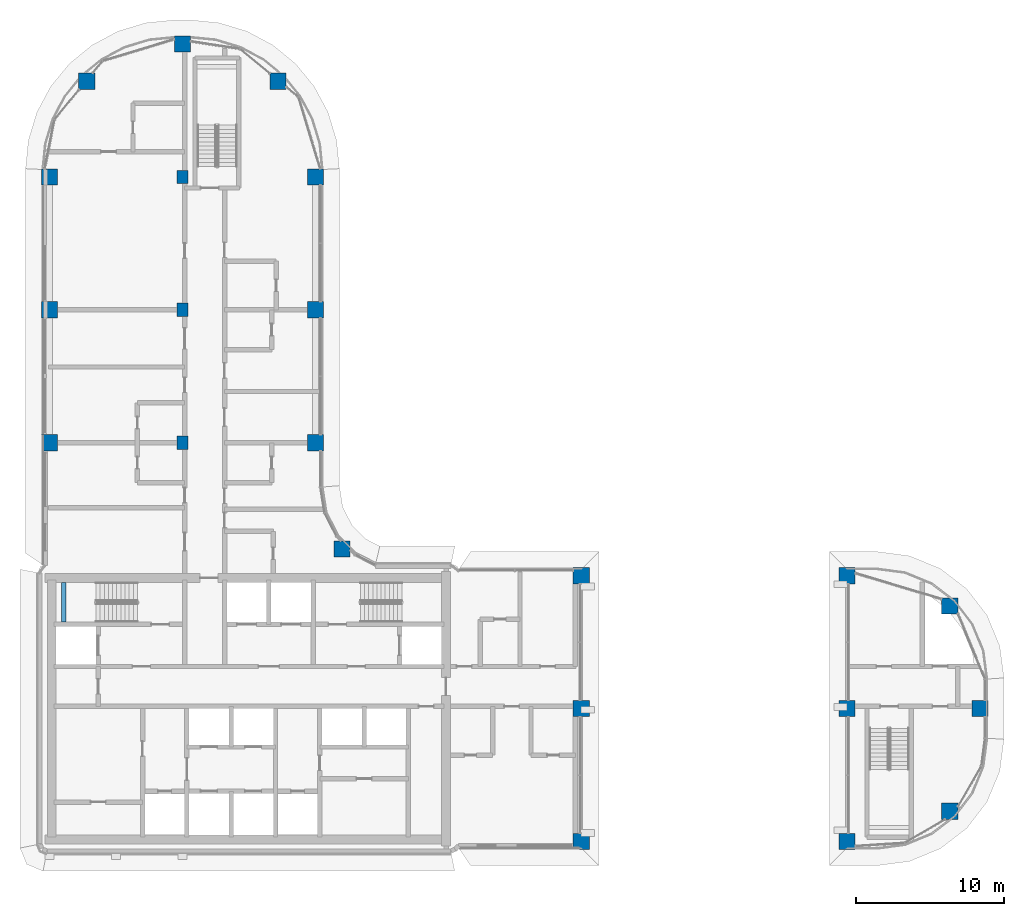
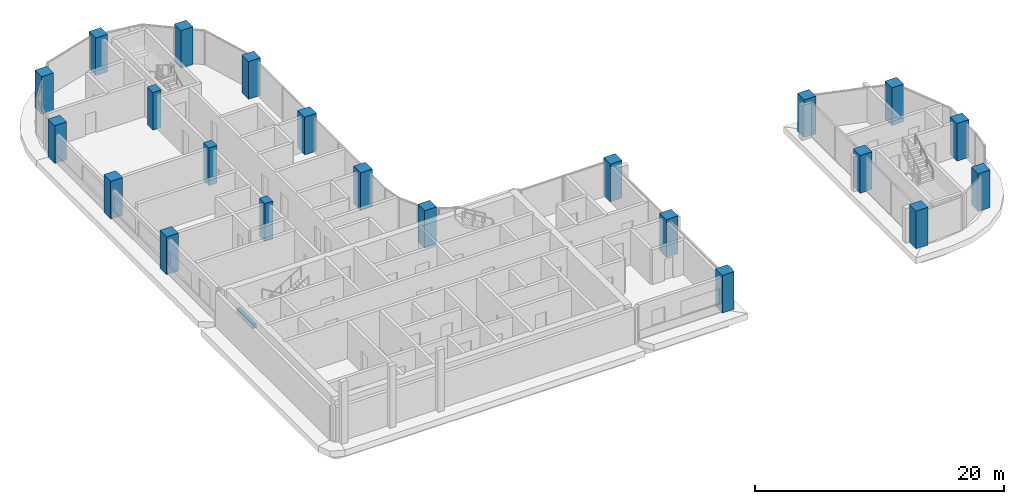
# One storey, part 1 of 24: 22 columns, 1 beam.
"""IFC4 building model written with IfcOpenShell, lengths in metres."""

import ifcopenshell
import ifcopenshell.guid

model = None  # the IFC model being written
_history = None  # IfcOwnerHistory: only IFC2X3 demands one
_inside = {}  # id of a spatial element -> (the spatial element, [elements in it])
_under = {}  # id of a project, library or spatial element -> (it, [spatial elements below it])
_declared = {}  # id of a project -> (the project, [libraries it declares])
_typed = {}  # id of a type object -> (the type object, [elements of that type])
_made_of = {}  # id of a material, layer set ... -> (it, [elements and type objects made of it])


def new_model(schema):
    """Start an empty IFC model of exactly this schema.

    Asked for "IFC4X3", IfcOpenShell would pick the latest addendum, in which some entities
    have other attributes; the version numbers below select the first issue.
    IFC2X3 requires an IfcOwnerHistory on every rooted entity: one is made here for all.
    """
    global model, _history
    if schema == "IFC4X3":
        model = ifcopenshell.file(schema_version=(4, 3, 0, 0))
    else:
        model = ifcopenshell.file(schema=schema)
    _inside.clear()
    _under.clear()
    _declared.clear()
    _typed.clear()
    _made_of.clear()
    _history = None
    if model.schema == "IFC2X3":
        org = make("IfcOrganization", Name="unknown")
        user = make(
            "IfcPersonAndOrganization",
            ThePerson=make("IfcPerson", FamilyName="unknown"),
            TheOrganization=org,
        )
        app = make(
            "IfcApplication",
            ApplicationDeveloper=org,
            Version="unknown",
            ApplicationFullName="unknown",
            ApplicationIdentifier="unknown",
        )
        _history = make(
            "IfcOwnerHistory",
            OwningUser=user,
            OwningApplication=app,
            ChangeAction="ADDED",
            CreationDate=0,
        )
    return model


def make(cls, **values):
    """One entity of the class cls with the attributes given. An attribute that is None is left unset."""
    return model.create_entity(
        cls, **{name: value for name, value in values.items() if value is not None}
    )


def rooted(cls, **values):
    """An entity with a GlobalId (a new one), such as an element, a storey or a relation."""
    return make(cls, GlobalId=ifcopenshell.guid.new(), OwnerHistory=_history, **values)


def si_unit(unit_type, name, prefix=None):
    """IfcSIUnit, for example si_unit("LENGTHUNIT", "METRE", prefix="MILLI")."""
    return make("IfcSIUnit", UnitType=unit_type, Prefix=prefix, Name=name)


def assignment(units):
    """IfcUnitAssignment: the units of a project."""
    return None if units is None else make("IfcUnitAssignment", Units=units)


def point(xyz):
    """IfcCartesianPoint."""
    return None if xyz is None else make("IfcCartesianPoint", Coordinates=xyz)


def direction(xyz):
    """IfcDirection."""
    return None if xyz is None else make("IfcDirection", DirectionRatios=xyz)


def frame(location, z_axis=None, x_axis=None):
    """IfcAxis2Placement3D, a coordinate frame: its origin and axes. An axis left out is left unset."""
    return make(
        "IfcAxis2Placement3D",
        Location=point(location),
        Axis=direction(z_axis),
        RefDirection=direction(x_axis),
    )


def frame_2d(location, x_axis=None):
    """IfcAxis2Placement2D, a coordinate frame in the plane: its origin and x axis."""
    return make(
        "IfcAxis2Placement2D", Location=point(location), RefDirection=direction(x_axis)
    )


def origin():
    """The frame at (0, 0, 0) with its axes left unset."""
    return frame((0.0, 0.0, 0.0))


def origin_2d():
    """The frame at (0, 0) in the plane with its x axis left unset."""
    return frame_2d((0.0, 0.0))


def place(relative_to, where):
    """IfcLocalPlacement: puts the frame where relative to a parent placement (None: the world)."""
    return make(
        "IfcLocalPlacement", PlacementRelTo=relative_to, RelativePlacement=where
    )


def context(
    kind, dimensions, precision=None, world=None, true_north=None, identifier=None
):
    """IfcGeometricRepresentationContext, for example the 3D "Model" context."""
    return make(
        "IfcGeometricRepresentationContext",
        ContextIdentifier=identifier,
        ContextType=kind,
        CoordinateSpaceDimension=dimensions,
        Precision=precision,
        WorldCoordinateSystem=world,
        TrueNorth=true_north,
    )


def subcontext(parent, identifier, kind, view, scale=None):
    """IfcGeometricRepresentationSubContext, for example "Body" below "Model"."""
    return make(
        "IfcGeometricRepresentationSubContext",
        ContextIdentifier=identifier,
        ContextType=kind,
        ParentContext=parent,
        TargetScale=scale,
        TargetView=view,
    )


def project(units=None, contexts=None):
    """IfcProject with its units and contexts."""
    return rooted(
        "IfcProject",
        Name="project",
        RepresentationContexts=contexts,
        UnitsInContext=assignment(units),
    )


def spatial(cls, under=None, at=None, **own):
    """A site, building, storey or space (cls), placed at a placement, below another one or the project."""
    s = rooted(cls, ObjectPlacement=at, **own)
    if under is not None:
        _under.setdefault(under.id(), (under, []))[1].append(s)
    return s


def profile(cls, at=None, kind="AREA", **sizes):
    """A parametric profile (cls). Its sizes go by their IFC names, for example OverallWidth=200.0."""
    return make(cls, ProfileType=kind, Position=at, **sizes)


def rectangle(**sizes):
    """IfcRectangleProfileDef."""
    return profile("IfcRectangleProfileDef", **sizes)


def extrude(swept, where, along, depth):
    """IfcExtrudedAreaSolid: the profile swept, set in the frame where, extruded along a direction by depth."""
    return make(
        "IfcExtrudedAreaSolid",
        SweptArea=swept,
        Position=where,
        ExtrudedDirection=direction(along),
        Depth=depth,
    )


def shape(context_of_items, identifier, shape_type, items):
    """IfcShapeRepresentation: the items that make up one representation, for example the "Body"."""
    return make(
        "IfcShapeRepresentation",
        ContextOfItems=context_of_items,
        RepresentationIdentifier=identifier,
        RepresentationType=shape_type,
        Items=items,
    )


def material(Name=None, Category=None):
    """IfcMaterial."""
    return make("IfcMaterial", Name=Name, Category=Category)


def material_profile(
    of_material, cross_section, Name=None, Category=None, Priority=None
):
    """IfcMaterialProfile: a cross section and its material."""
    return make(
        "IfcMaterialProfile",
        Name=Name,
        Material=of_material,
        Profile=cross_section,
        Priority=Priority,
        Category=Category,
    )


def profile_set(profiles, Name=None, composite=None):
    """IfcMaterialProfileSet."""
    return make(
        "IfcMaterialProfileSet",
        Name=Name,
        MaterialProfiles=profiles,
        CompositeProfile=composite,
    )


def made_of(thing, what):
    """Note that an element or type object is made of a material, layer set ...; save() writes the relation."""
    if what is not None:
        _made_of.setdefault(what.id(), (what, []))[1].append(thing)
    return thing


def type_object(cls, material=None, **own):
    """A type object (cls), such as IfcWallType, which elements share."""
    return made_of(rooted(cls, **own), material)


def element(
    cls,
    number,
    at=None,
    inside=None,
    cuts=None,
    type_object=None,
    material=None,
    context=None,
    identifier="Body",
    shape_type=None,
    held_by="IfcProductDefinitionShape",
    body=None,
    shapes=None,
    **own,
):
    """One element of the class cls, such as IfcWall. Its Tag is "e" and its number.

    at: its placement. inside: the storey or other place that contains it. cuts: it is an
    opening in that element (IfcRelVoidsElement). A single representation is given by context,
    identifier, shape_type and body (its items); several are given by shapes. held_by: the class
    of the entity that holds the representations. save() writes the other relations.
    """
    e = rooted(cls, Tag="e%d" % number, ObjectPlacement=at, **own)
    if body is not None:
        shapes = [shape(context, identifier, shape_type, body)]
    if shapes is not None:
        e.Representation = make(held_by, Representations=shapes)
    if inside is not None:
        _inside.setdefault(inside.id(), (inside, []))[1].append(e)
    if cuts is not None:
        rooted(
            "IfcRelVoidsElement", RelatingBuildingElement=cuts, RelatedOpeningElement=e
        )
    if type_object is not None:
        _typed.setdefault(type_object.id(), (type_object, []))[1].append(e)
    return made_of(e, material)


def aggregate(whole, parts):
    """IfcRelAggregates: a whole, such as a stair, and the parts it consists of."""
    return rooted("IfcRelAggregates", RelatingObject=whole, RelatedObjects=parts)


def save(model, path):
    """Write the relations noted so far, then the file.

    IfcRelAggregates (storeys below a building ...), IfcRelContainedInSpatialStructure (elements
    in a storey), IfcRelDefinesByType, IfcRelAssociatesMaterial and IfcRelDeclares: one each for
    every whole, place, type object, material and project.
    """
    for whole, parts in _under.values():
        aggregate(whole, parts)
    for where, things in _inside.values():
        rooted(
            "IfcRelContainedInSpatialStructure",
            RelatedElements=things,
            RelatingStructure=where,
        )
    for kind, things in _typed.values():
        rooted("IfcRelDefinesByType", RelatedObjects=things, RelatingType=kind)
    for what, things in _made_of.values():
        rooted("IfcRelAssociatesMaterial", RelatedObjects=things, RelatingMaterial=what)
    for by, libraries in _declared.values():
        rooted("IfcRelDeclares", RelatingContext=by, RelatedDefinitions=libraries)
    model.write(path)


model = new_model("IFC4")

# Units and contexts
model_context = context("Model", 3, precision=1e-05, world=origin(), true_north=direction((0.0, 1.0)))
body_context = subcontext(model_context, "Body", "Model", "MODEL_VIEW")
ifc_project = project(units=[si_unit("LENGTHUNIT", "METRE"), si_unit("AREAUNIT", "SQUARE_METRE"), si_unit("VOLUMEUNIT", "CUBIC_METRE"), si_unit("PLANEANGLEUNIT", "RADIAN"), si_unit("MASSUNIT", "GRAM", prefix="KILO")], contexts=[model_context])

# Site, building, storey
site_placement = place(None, origin())
site = spatial("IfcSite", under=ifc_project, at=site_placement, CompositionType="ELEMENT")
building_placement = place(site_placement, origin())
building = spatial("IfcBuilding", under=site, at=building_placement, Name="Ogive Portal Towers", CompositionType="ELEMENT")
storey_placement = place(building_placement, frame((0.0, 0.0, 153.300048828125)))
storey = spatial("IfcBuildingStorey", under=building, at=storey_placement, Name="L37", CompositionType="ELEMENT", Elevation=153.300048828125)

# Columns
ifc_material_1 = material(Name="Concrete C60/75", Category="concrete")
ifc_material_profile_1 = material_profile(ifc_material_1, rectangle(XDim=1.10009765625, YDim=1.10009765625, at=origin_2d()), Name="RC 1100x1100")
ifc_profile_set_1 = profile_set([ifc_material_profile_1], Name="Concrete C60/75")
column_type_1 = type_object("IfcColumnType", Name="COLUMN RC 1100x1100", PredefinedType="COLUMN", material=ifc_profile_set_1)
for number, where, z_axis, x_axis, name in (
    (1, (67.5, 21.5, 0.0), (0.0, 0.0, 1.0), (1.0, 0.0, 0.0), "Column 5/A L37"),
    (2, (85.5, 21.5, 0.0), (0.0, 0.0, 1.0), (1.0, 0.0, 0.0), "Column 7/A L37"),
    (3, (92.449951171875, 23.550048828125, 0.0), (0.0, 0.0, 1.0), (1.0, 0.0, 0.0), "Column L37"),
    (4, (67.5, 30.5, 0.0), (0.0, 0.0, 1.0), (1.0, 0.0, 0.0), "Column 5/B L37"),
    (5, (85.5, 30.5, 0.0), (0.0, 0.0, 1.0), (1.0, 0.0, 0.0), "Column 7/B L37"),
    (6, (94.5, 30.5, 0.0), (0.0, 0.0, 1.0), (1.0, 0.0, 0.0), "Column 8/B L37"),
    (7, (92.449951171875, 37.449951171875, 0.0), (0.0, 0.0, 1.0), (1.0, 0.0, 0.0), "Column L37"),
    (8, (67.5, 39.5, 0.0), (0.0, 0.0, 1.0), (1.0, 0.0, 0.0), "Column 5/C L37"),
    (9, (85.5, 39.5, 0.0), (0.0, 0.0, 1.0), (1.0, 0.0, 0.0), "Column 7/C L37"),
    (10, (51.31005859375, 41.31005859375, 0.0), (0.0, 0.0, 1.0), (1.0, 0.0, 0.0), "Column L37"),
    (11, (31.5, 48.5, 0.0), (0.0, 0.0, 1.0), (1.0, 0.0, 0.0), "Column 1/D L37"),
    (12, (49.5, 48.5, 0.0), (0.0, 0.0, 1.0), (1.0, 0.0, 0.0), "Column 3/D L37"),
    (13, (31.5, 57.5, 0.0), (0.0, 0.0, 1.0), (1.0, 0.0, 0.0), "Column 1/E L37"),
    (14, (49.5, 57.5, 0.0), (0.0, 0.0, 1.0), (1.0, 0.0, 0.0), "Column 3/E L37"),
    (15, (31.5, 66.5, 0.0), (0.0, 0.0, 1.0), (1.0, 0.0, 0.0), "Column 1/F L37"),
    (16, (49.5, 66.5, 0.0), (0.0, 0.0, 1.0), (1.0, 0.0, 0.0), "Column 3/F L37"),
    (17, (34.027099609375, 72.972900390625, 0.0), (0.0, 0.0, 1.0), (1.0, 0.0, 0.0), "Column L37"),
    (18, (46.972900390625, 72.972900390625, 0.0), (0.0, 0.0, 1.0), (1.0, 0.0, 0.0), "Column L37"),
    (19, (40.5, 75.5, 0.0), (0.0, 0.0, 1.0), (1.0, 0.0, 0.0), "Column 2/G L37"),
):
    element("IfcColumn", number, at=place(storey_placement, frame(where, z_axis=z_axis, x_axis=x_axis)), inside=storey, type_object=column_type_1, Name=name, PredefinedType="COLUMN", context=body_context, shape_type="SweptSolid", body=[
        extrude(rectangle(XDim=1.10009765625, YDim=1.10009765625, at=origin_2d()), origin(), (0.0, 0.0, 1.0), 3.699951171875),
    ])
ifc_material_profile_2 = material_profile(ifc_material_1, rectangle(XDim=0.89990234375, YDim=0.75, at=origin_2d()), Name="RC 900x750")
ifc_profile_set_2 = profile_set([ifc_material_profile_2], Name="Concrete C60/75")
column_type_2 = type_object("IfcColumnType", Name="COLUMN RC 900x750", PredefinedType="COLUMN", material=ifc_profile_set_2)
for number, where, z_axis, x_axis, name in (
    (20, (40.5, 48.5, 0.0), (0.0, 0.0, 1.0), (0.0, 1.0, 0.0), "Column 2/D L37"),
    (21, (40.5, 57.5, 0.0), (0.0, 0.0, 1.0), (0.0, 1.0, 0.0), "Column 2/E L37"),
    (22, (40.5, 66.5, 0.0), (0.0, 0.0, 1.0), (0.0, 1.0, 0.0), "Column 2/F L37"),
):
    element("IfcColumn", number, at=place(storey_placement, frame(where, z_axis=z_axis, x_axis=x_axis)), inside=storey, type_object=column_type_2, Name=name, PredefinedType="COLUMN", context=body_context, shape_type="SweptSolid", body=[
        extrude(rectangle(XDim=0.89990234375, YDim=0.75, at=origin_2d()), origin(), (0.0, 0.0, 1.0), 3.699951171875),
    ])

# Beam
ifc_material_2 = material(Name="Concrete C40/50", Category="concrete")
ifc_material_profile_3 = material_profile(ifc_material_2, rectangle(XDim=0.300048828125, YDim=0.39990234375, at=origin_2d()), Name="RC 300x400")
ifc_profile_set_3 = profile_set([ifc_material_profile_3], Name="Concrete C40/50")
beam_type = type_object("IfcBeamType", Name="BEAM RC 300x400", PredefinedType="BEAM", material=ifc_profile_set_3)
beam_placement = place(storey_placement, frame((32.449951171875, 36.35009765625, 1.449951171875), z_axis=(0.0, 1.0, 0.0), x_axis=(-1.0, 0.0, 0.0)))
element("IfcBeam", 23, at=beam_placement, inside=storey, type_object=beam_type, Name="Landing beam L37", PredefinedType="BEAM", context=body_context, shape_type="SweptSolid", body=[
    extrude(rectangle(XDim=0.300048828125, YDim=0.39990234375, at=origin_2d()), origin(), (0.0, 0.0, 1.0), 2.699951171875),
])

save(model, "model.ifc")
